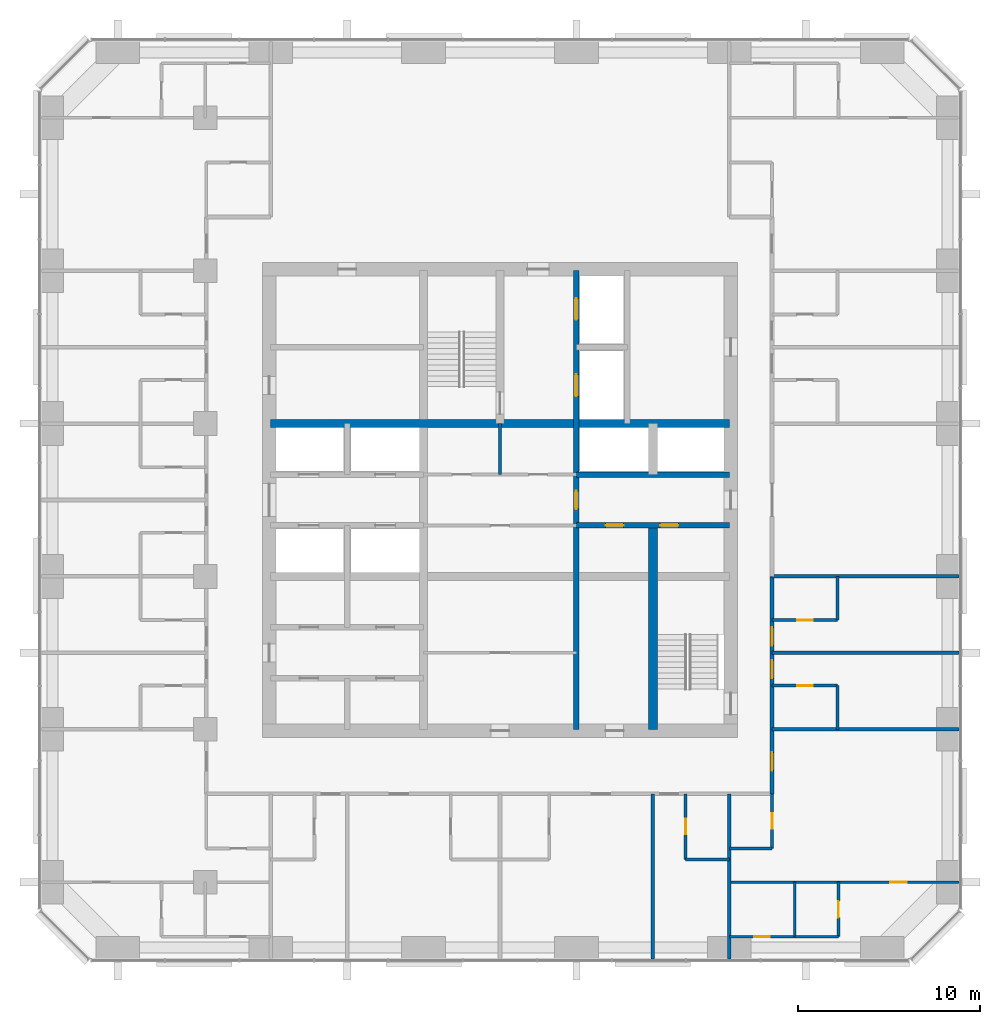
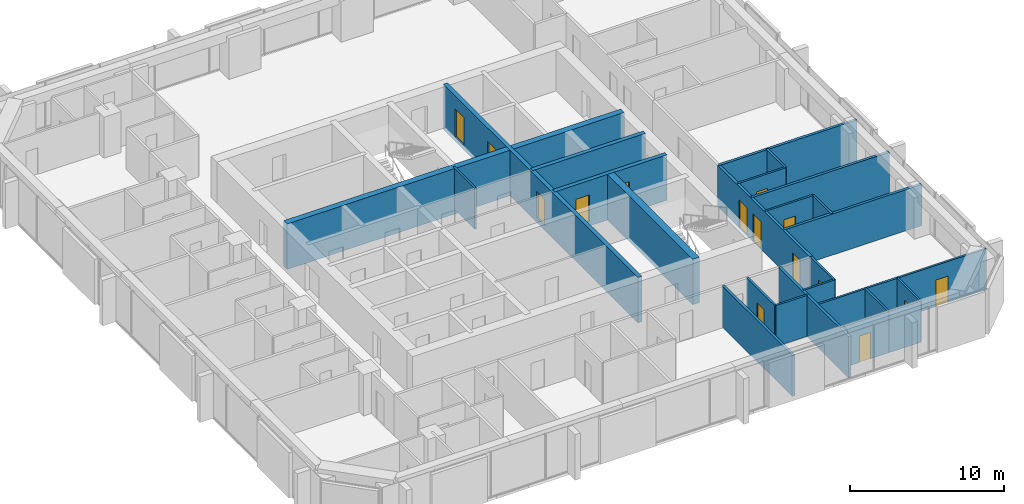
# One storey, part 10 of 13: 25 walls, 15 doors, 15 openings.
"""IFC4 building model written with IfcOpenShell, lengths in metres."""

from ifc_helpers import new_model, si_unit, direction, frame, frame_2d, origin, place, context, subcontext, project, spatial, rectangle, extrude, material, layer, layer_set, type_object, element, fill, save


model = new_model("IFC4")

# Units and contexts
model_context = context("Model", 3, precision=1e-05, world=origin(), true_north=direction((0.0, 1.0)))
body_context = subcontext(model_context, "Body", "Model", "MODEL_VIEW")
ifc_project = project(units=[si_unit("LENGTHUNIT", "METRE"), si_unit("AREAUNIT", "SQUARE_METRE"), si_unit("VOLUMEUNIT", "CUBIC_METRE"), si_unit("PLANEANGLEUNIT", "RADIAN"), si_unit("MASSUNIT", "GRAM", prefix="KILO")], contexts=[model_context])

# Site, building, storey
site_placement = place(None, origin())
site = spatial("IfcSite", under=ifc_project, at=site_placement, CompositionType="ELEMENT")
building_placement = place(site_placement, origin())
building = spatial("IfcBuilding", under=site, at=building_placement, Name="Dunama Terrace Hotel", CompositionType="ELEMENT")
storey_placement = place(building_placement, frame((0.0, 0.0, 166.199951171875)))
storey = spatial("IfcBuildingStorey", under=building, at=storey_placement, Name="L42", CompositionType="ELEMENT", Elevation=166.199951171875)

# Wall, opening, door
ifc_material_1 = material(Name="Gypsum board partition", Category="masonry")
ifc_layer_1 = layer(ifc_material_1, 0.14990234375)
ifc_layer_set_1 = layer_set([ifc_layer_1], Name="Bathroom partition 150")
wall_type_1 = type_object("IfcWallType", Name="Bathroom partition 150", PredefinedType="PARTITIONING", material=ifc_layer_set_1)
wall_1_placement = place(storey_placement, frame((39.60009765625, 9.64990234375, 0.0), z_axis=(0.0, 0.0, 1.0), x_axis=(0.0, 1.0, 0.0)))
wall_1 = element("IfcWall", 1, at=wall_1_placement, inside=storey, type_object=wall_type_1, Name="Bathroom partition 150 L42", PredefinedType="PARTITIONING", context=body_context, shape_type="SweptSolid", body=[
    extrude(rectangle(XDim=3.60009765625, YDim=0.14990234375, at=frame_2d((1.800048828125, 0.0))), origin(), (0.0, 0.0, 1.0), 3.25),
])
opening_1_placement = place(wall_1_placement, frame((1.375, 0.0, 0.0)))
opening_1 = element("IfcOpeningElement", 2, at=opening_1_placement, cuts=wall_1, Name="Opening L42-44-016", PredefinedType="OPENING", context=body_context, shape_type="SweptSolid", body=[
    extrude(rectangle(XDim=0.85009765625, YDim=2.10009765625, at=frame_2d((0.425048828125, 1.050048828125))), frame((0.0, 0.0849609375, 0.0), z_axis=(0.0, -1.0, 0.0), x_axis=(1.0, 0.0, 0.0)), (0.0, 0.0, 1.0), 0.169921875),
])
ifc_material_2 = material(Name="Timber door with steel frame", Category="steel")
door_type_1 = type_object("IfcDoorType", Name="Bathroom door 850", OperationType="SINGLE_SWING_LEFT", PredefinedType="DOOR", material=ifc_material_2)
door_1_placement = place(opening_1_placement, frame((0.85009765625, 0.0, 0.0), z_axis=(0.0, 0.0, 1.0), x_axis=(-1.0, 0.0, 0.0)))
door_1 = element("IfcDoor", 3, at=door_1_placement, inside=storey, type_object=door_type_1, Name="Door to en-suite bathroom L42-44-016, type D2", OperationType="SINGLE_SWING_LEFT", OverallHeight=2.10009765625, OverallWidth=0.85009765625, PredefinedType="DOOR", context=body_context, shape_type="SweptSolid", body=[
    extrude(rectangle(XDim=0.85009765625, YDim=2.10009765625, at=frame_2d((0.425048828125, 1.050048828125))), frame((0.0, 0.025146484375, 0.0), z_axis=(0.0, -1.0, 0.0), x_axis=(1.0, 0.0, 0.0)), (0.0, 0.0, 1.0), 0.050048828125),
])
fill(opening_1, door_1)

wall_2_placement = place(storey_placement, frame((44.35009765625, 10.25, 0.0), z_axis=(0.0, 0.0, 1.0), x_axis=(0.0, 1.0, 0.0)))
wall_2 = element("IfcWall", 4, at=wall_2_placement, inside=storey, type_object=wall_type_1, Name="Bathroom partition 150 L42", PredefinedType="PARTITIONING", context=body_context, shape_type="SweptSolid", body=[
    extrude(rectangle(XDim=3.0, YDim=0.14990234375, at=frame_2d((1.5, 0.0))), origin(), (0.0, 0.0, 1.0), 3.25),
])
opening_2_placement = place(wall_2_placement, frame((1.074951171875, 0.0, 0.0)))
opening_2 = element("IfcOpeningElement", 5, at=opening_2_placement, cuts=wall_2, Name="Opening L42-44-044", PredefinedType="OPENING", context=body_context, shape_type="SweptSolid", body=[
    extrude(rectangle(XDim=0.85009765625, YDim=2.10009765625, at=frame_2d((0.425048828125, 1.050048828125))), frame((0.0, 0.0849609375, 0.0), z_axis=(0.0, -1.0, 0.0), x_axis=(1.0, 0.0, 0.0)), (0.0, 0.0, 1.0), 0.169921875),
])
door_2_placement = place(opening_2_placement, origin())
door_2 = element("IfcDoor", 6, at=door_2_placement, inside=storey, type_object=door_type_1, Name="Door to powder room L42-44-044, type D2", OperationType="SINGLE_SWING_RIGHT", OverallHeight=2.10009765625, OverallWidth=0.85009765625, PredefinedType="DOOR", context=body_context, shape_type="SweptSolid", body=[
    extrude(rectangle(XDim=0.85009765625, YDim=2.10009765625, at=frame_2d((0.425048828125, 1.050048828125))), frame((0.0, 0.02490234375, 0.0), z_axis=(0.0, -1.0, 0.0), x_axis=(1.0, 0.0, 0.0)), (0.0, 0.0, 1.0), 0.050048828125),
])
fill(opening_2, door_2)

# Walls
for number, where, z_axis, x_axis, name in (
    (7, (47.949951171875, 16.800048828125, 0.0), (0.0, 0.0, 1.0), (0.0, 1.0, 0.0), "Bathroom partition 150 L42"),
    (8, (47.949951171875, 22.800048828125, 0.0), (0.0, 0.0, 1.0), (0.0, 1.0, 0.0), "Bathroom partition 150 L42"),
):
    element("IfcWall", number, at=place(storey_placement, frame(where, z_axis=z_axis, x_axis=x_axis)), inside=storey, type_object=wall_type_1, Name=name, PredefinedType="PARTITIONING", context=body_context, shape_type="SweptSolid", body=[
        extrude(rectangle(XDim=2.39990234375, YDim=0.14990234375, at=frame_2d((1.199951171875, 0.0))), origin(), (0.0, 0.0, 1.0), 3.25),
    ])

# Wall, opening, door
wall_3_placement = place(storey_placement, frame((42.0, 5.39990234375, 0.0), z_axis=(0.0, 0.0, 1.0), x_axis=(1.0, 0.0, 0.0)))
wall_3 = element("IfcWall", 9, at=wall_3_placement, inside=storey, type_object=wall_type_1, Name="Bathroom partition 150 L42", PredefinedType="PARTITIONING", context=body_context, shape_type="SweptSolid", body=[
    extrude(rectangle(XDim=3.60009765625, YDim=0.14990234375, at=frame_2d((1.800048828125, 0.0))), origin(), (0.0, 0.0, 1.0), 3.25),
])
opening_3_placement = place(wall_3_placement, frame((1.375, 0.0, 0.0)))
opening_3 = element("IfcOpeningElement", 10, at=opening_3_placement, cuts=wall_3, Name="Opening L42-44-046", PredefinedType="OPENING", context=body_context, shape_type="SweptSolid", body=[
    extrude(rectangle(XDim=0.85009765625, YDim=2.10009765625, at=frame_2d((0.425048828125, 1.050048828125))), frame((0.0, 0.0849609375, 0.0), z_axis=(0.0, -1.0, 0.0), x_axis=(1.0, 0.0, 0.0)), (0.0, 0.0, 1.0), 0.169921875),
])
door_3_placement = place(opening_3_placement, origin())
door_3 = element("IfcDoor", 11, at=door_3_placement, inside=storey, type_object=door_type_1, Name="Door to en-suite bathroom L42-44-046, type D2", OperationType="SINGLE_SWING_LEFT", OverallHeight=2.10009765625, OverallWidth=0.85009765625, PredefinedType="DOOR", context=body_context, shape_type="SweptSolid", body=[
    extrude(rectangle(XDim=0.85009765625, YDim=2.10009765625, at=frame_2d((0.425048828125, 1.050048828125))), frame((0.0, 0.02490234375, 0.0), z_axis=(0.0, -1.0, 0.0), x_axis=(1.0, 0.0, 0.0)), (0.0, 0.0, 1.0), 0.050048828125),
])
fill(opening_3, door_3)

# Walls
wall_4_placement = place(storey_placement, frame((39.60009765625, 9.64990234375, 0.0), z_axis=(0.0, 0.0, 1.0), x_axis=(1.0, 0.0, 0.0)))
element("IfcWall", 12, at=wall_4_placement, inside=storey, type_object=wall_type_1, Name="Bathroom partition 150 L42", PredefinedType="PARTITIONING", context=body_context, shape_type="SweptSolid", body=[
    extrude(rectangle(XDim=2.39990234375, YDim=0.14990234375, at=frame_2d((1.199951171875, 0.0))), origin(), (0.0, 0.0, 1.0), 3.25),
])
wall_5_placement = place(storey_placement, frame((42.0, 10.25, 0.0), z_axis=(0.0, 0.0, 1.0), x_axis=(1.0, 0.0, 0.0)))
element("IfcWall", 13, at=wall_5_placement, inside=storey, type_object=wall_type_1, Name="Bathroom partition 150 L42", PredefinedType="PARTITIONING", context=body_context, shape_type="SweptSolid", body=[
    extrude(rectangle(XDim=2.35009765625, YDim=0.14990234375, at=frame_2d((1.175048828125, 0.0))), origin(), (0.0, 0.0, 1.0), 3.25),
])

# Wall, opening, door
wall_6_placement = place(storey_placement, frame((44.35009765625, 19.199951171875, 0.0), z_axis=(0.0, 0.0, 1.0), x_axis=(1.0, 0.0, 0.0)))
wall_6 = element("IfcWall", 14, at=wall_6_placement, inside=storey, type_object=wall_type_1, Name="Bathroom partition 150 L42", PredefinedType="PARTITIONING", context=body_context, shape_type="SweptSolid", body=[
    extrude(rectangle(XDim=3.599853515625, YDim=0.14990234375, at=frame_2d((1.7998046875, 0.0))), origin(), (0.0, 0.0, 1.0), 3.25),
])
opening_4_placement = place(wall_6_placement, frame((1.375, 0.0, 0.0)))
opening_4 = element("IfcOpeningElement", 15, at=opening_4_placement, cuts=wall_6, Name="Opening L42-44-018", PredefinedType="OPENING", context=body_context, shape_type="SweptSolid", body=[
    extrude(rectangle(XDim=0.85009765625, YDim=2.10009765625, at=frame_2d((0.425048828125, 1.050048828125))), frame((0.0, 0.0849609375, 0.0), z_axis=(0.0, -1.0, 0.0), x_axis=(1.0, 0.0, 0.0)), (0.0, 0.0, 1.0), 0.169921875),
])
door_4_placement = place(opening_4_placement, frame((0.85009765625, 0.0, 0.0), z_axis=(0.0, 0.0, 1.0), x_axis=(-1.0, 0.0, 0.0)))
door_4 = element("IfcDoor", 16, at=door_4_placement, inside=storey, type_object=door_type_1, Name="Door to en-suite bathroom L42-44-018, type D2", OperationType="SINGLE_SWING_RIGHT", OverallHeight=2.10009765625, OverallWidth=0.85009765625, PredefinedType="DOOR", context=body_context, shape_type="SweptSolid", body=[
    extrude(rectangle(XDim=0.85009765625, YDim=2.10009765625, at=frame_2d((0.425048828125, 1.050048828125))), frame((0.0, 0.025146484375, 0.0), z_axis=(0.0, -1.0, 0.0), x_axis=(1.0, 0.0, 0.0)), (0.0, 0.0, 1.0), 0.050048828125),
])
fill(opening_4, door_4)

wall_7_placement = place(storey_placement, frame((44.35009765625, 22.800048828125, 0.0), z_axis=(0.0, 0.0, 1.0), x_axis=(1.0, 0.0, 0.0)))
wall_7 = element("IfcWall", 17, at=wall_7_placement, inside=storey, type_object=wall_type_1, Name="Bathroom partition 150 L42", PredefinedType="PARTITIONING", context=body_context, shape_type="SweptSolid", body=[
    extrude(rectangle(XDim=3.599853515625, YDim=0.14990234375, at=frame_2d((1.7998046875, 0.0))), origin(), (0.0, 0.0, 1.0), 3.25),
])
opening_5_placement = place(wall_7_placement, frame((1.375, 0.0, 0.0)))
opening_5 = element("IfcOpeningElement", 18, at=opening_5_placement, cuts=wall_7, Name="Opening L42-44-020", PredefinedType="OPENING", context=body_context, shape_type="SweptSolid", body=[
    extrude(rectangle(XDim=0.85009765625, YDim=2.10009765625, at=frame_2d((0.425048828125, 1.050048828125))), frame((0.0, 0.0849609375, 0.0), z_axis=(0.0, -1.0, 0.0), x_axis=(1.0, 0.0, 0.0)), (0.0, 0.0, 1.0), 0.169921875),
])
door_5_placement = place(opening_5_placement, origin())
door_5 = element("IfcDoor", 19, at=door_5_placement, inside=storey, type_object=door_type_1, Name="Door to en-suite bathroom L42-44-020, type D2", OperationType="SINGLE_SWING_LEFT", OverallHeight=2.10009765625, OverallWidth=0.85009765625, PredefinedType="DOOR", context=body_context, shape_type="SweptSolid", body=[
    extrude(rectangle(XDim=0.85009765625, YDim=2.10009765625, at=frame_2d((0.425048828125, 1.050048828125))), frame((0.0, 0.02490234375, 0.0), z_axis=(0.0, -1.0, 0.0), x_axis=(1.0, 0.0, 0.0)), (0.0, 0.0, 1.0), 0.050048828125),
])
fill(opening_5, door_5)

# Wall, openings, doors
ifc_material_3 = material(Name="Concrete C50/60", Category="concrete")
ifc_layer_2 = layer(ifc_material_3, 0.300048828125)
ifc_layer_set_2 = layer_set([ifc_layer_2], Name="Core inner wall 300")
wall_type_2 = type_object("IfcWallType", Name="Core inner wall 300", PredefinedType="SHEAR", material=ifc_layer_set_2)
wall_8_placement = place(storey_placement, frame((33.60009765625, 16.800048828125, -0.349853515625), z_axis=(0.0, 0.0, 1.0), x_axis=(0.0, 1.0, 0.0)))
wall_8 = element("IfcWall", 20, at=wall_8_placement, inside=storey, type_object=wall_type_2, Name="Core inner wall 300 L42", PredefinedType="SHEAR", context=body_context, shape_type="SweptSolid", body=[
    extrude(rectangle(XDim=25.199951171875, YDim=0.300048828125, at=frame_2d((12.60009765625, 0.0))), origin(), (0.0, 0.0, 1.0), 3.599853515625),
])
opening_6_placement = place(wall_8_placement, frame((22.5, 0.0, 0.35009765625)))
opening_6 = element("IfcOpeningElement", 21, at=opening_6_placement, cuts=wall_8, Name="Opening L42-44-007", PredefinedType="OPENING", context=body_context, shape_type="SweptSolid", body=[
    extrude(rectangle(XDim=1.199951171875, YDim=2.199951171875, at=frame_2d((0.60009765625, 1.10009765625))), frame((0.0, 0.159912109375, 0.0), z_axis=(0.0, -1.0, 0.0), x_axis=(1.0, 0.0, 0.0)), (0.0, 0.0, 1.0), 0.320068359375),
])
opening_7_placement = place(wall_8_placement, frame((18.300048828125, 0.0, 0.35009765625)))
opening_7 = element("IfcOpeningElement", 22, at=opening_7_placement, cuts=wall_8, Name="Opening L42-44-008", PredefinedType="OPENING", context=body_context, shape_type="SweptSolid", body=[
    extrude(rectangle(XDim=1.199951171875, YDim=2.199951171875, at=frame_2d((0.60009765625, 1.10009765625))), frame((0.0, 0.159912109375, 0.0), z_axis=(0.0, -1.0, 0.0), x_axis=(1.0, 0.0, 0.0)), (0.0, 0.0, 1.0), 0.320068359375),
])
opening_8_placement = place(wall_8_placement, frame((12.10009765625, 0.0, 0.35009765625)))
opening_8 = element("IfcOpeningElement", 23, at=opening_8_placement, cuts=wall_8, Name="Opening L42-44-066", PredefinedType="OPENING", context=body_context, shape_type="SweptSolid", body=[
    extrude(rectangle(XDim=1.0, YDim=2.10009765625, at=frame_2d((0.5, 1.050048828125))), frame((0.0, 0.159912109375, 0.0), z_axis=(0.0, -1.0, 0.0), x_axis=(1.0, 0.0, 0.0)), (0.0, 0.0, 1.0), 0.320068359375),
])
ifc_material_4 = material(Name="Stainless steel lift door", Category="steel")
door_type_2 = type_object("IfcDoorType", Name="Firefighting lift landing door 1200", OperationType="DOUBLE_DOOR_SLIDING", PredefinedType="DOOR", material=ifc_material_4)
door_6_placement = place(opening_6_placement, origin())
door_6 = element("IfcDoor", 24, at=door_6_placement, inside=storey, type_object=door_type_2, Name="Landing door FL1 L42-44-007, type LD2", OperationType="DOUBLE_DOOR_SLIDING", OverallHeight=2.199951171875, OverallWidth=1.199951171875, PredefinedType="DOOR", context=body_context, shape_type="SweptSolid", body=[
    extrude(rectangle(XDim=1.199951171875, YDim=2.199951171875, at=frame_2d((0.60009765625, 1.10009765625))), frame((0.0, 0.02490234375, 0.0), z_axis=(0.0, -1.0, 0.0), x_axis=(1.0, 0.0, 0.0)), (0.0, 0.0, 1.0), 0.050048828125),
])
fill(opening_6, door_6)
door_7_placement = place(opening_7_placement, origin())
door_7 = element("IfcDoor", 25, at=door_7_placement, inside=storey, type_object=door_type_2, Name="Landing door FL2 L42-44-008, type LD2", OperationType="DOUBLE_DOOR_SLIDING", OverallHeight=2.199951171875, OverallWidth=1.199951171875, PredefinedType="DOOR", context=body_context, shape_type="SweptSolid", body=[
    extrude(rectangle(XDim=1.199951171875, YDim=2.199951171875, at=frame_2d((0.60009765625, 1.10009765625))), frame((0.0, 0.02490234375, 0.0), z_axis=(0.0, -1.0, 0.0), x_axis=(1.0, 0.0, 0.0)), (0.0, 0.0, 1.0), 0.050048828125),
])
fill(opening_7, door_7)
ifc_material_5 = material(Name="Timber door with steel frame", Category="steel")
door_type_3 = type_object("IfcDoorType", Name="Service door 1000", OperationType="SINGLE_SWING_LEFT", PredefinedType="DOOR", material=ifc_material_5)
door_8_placement = place(opening_8_placement, origin())
door_8 = element("IfcDoor", 26, at=door_8_placement, inside=storey, type_object=door_type_3, Name="Door to staff passage L42-44-066, type D7", OperationType="SINGLE_SWING_LEFT", OverallHeight=2.10009765625, OverallWidth=1.0, PredefinedType="DOOR", context=body_context, shape_type="SweptSolid", body=[
    extrude(rectangle(XDim=1.0, YDim=2.10009765625, at=frame_2d((0.5, 1.050048828125))), frame((0.0, 0.02490234375, 0.0), z_axis=(0.0, -1.0, 0.0), x_axis=(1.0, 0.0, 0.0)), (0.0, 0.0, 1.0), 0.050048828125),
])
fill(opening_8, door_8)

wall_9_placement = place(storey_placement, frame((33.60009765625, 28.0, -0.349853515625), z_axis=(0.0, 0.0, 1.0), x_axis=(1.0, 0.0, 0.0)))
wall_9 = element("IfcWall", 27, at=wall_9_placement, inside=storey, type_object=wall_type_2, Name="Core inner wall 300 L42", PredefinedType="SHEAR", context=body_context, shape_type="SweptSolid", body=[
    extrude(rectangle(XDim=8.39990234375, YDim=0.300048828125, at=frame_2d((4.199951171875, 0.0))), origin(), (0.0, 0.0, 1.0), 3.599853515625),
])
opening_9_placement = place(wall_9_placement, frame((1.60009765625, 0.0, 0.35009765625)))
opening_9 = element("IfcOpeningElement", 28, at=opening_9_placement, cuts=wall_9, Name="Opening L42-44-070", PredefinedType="OPENING", context=body_context, shape_type="SweptSolid", body=[
    extrude(rectangle(XDim=1.0, YDim=2.10009765625, at=frame_2d((0.5, 1.050048828125))), frame((0.0, 0.159912109375, 0.0), z_axis=(0.0, -1.0, 0.0), x_axis=(1.0, 0.0, 0.0)), (0.0, 0.0, 1.0), 0.320068359375),
])
opening_10_placement = place(wall_9_placement, frame((4.60009765625, 0.0, 0.35009765625)))
opening_10 = element("IfcOpeningElement", 29, at=opening_10_placement, cuts=wall_9, Name="Opening L42-44-071", PredefinedType="OPENING", context=body_context, shape_type="SweptSolid", body=[
    extrude(rectangle(XDim=1.0, YDim=2.10009765625, at=frame_2d((0.5, 1.050048828125))), frame((0.0, 0.159912109375, 0.0), z_axis=(0.0, -1.0, 0.0), x_axis=(1.0, 0.0, 0.0)), (0.0, 0.0, 1.0), 0.320068359375),
])
door_9_placement = place(opening_9_placement, frame((1.0, 0.0, 0.0), z_axis=(0.0, 0.0, 1.0), x_axis=(-1.0, 0.0, 0.0)))
door_9 = element("IfcDoor", 30, at=door_9_placement, inside=storey, type_object=door_type_3, Name="Door to service riser L42-44-070, type D7", OperationType="SINGLE_SWING_LEFT", OverallHeight=2.10009765625, OverallWidth=1.0, PredefinedType="DOOR", context=body_context, shape_type="SweptSolid", body=[
    extrude(rectangle(XDim=1.0, YDim=2.10009765625, at=frame_2d((0.5, 1.050048828125))), frame((0.0, 0.025146484375, 0.0), z_axis=(0.0, -1.0, 0.0), x_axis=(1.0, 0.0, 0.0)), (0.0, 0.0, 1.0), 0.050048828125),
])
fill(opening_9, door_9)
door_10_placement = place(opening_10_placement, frame((1.0, 0.0, 0.0), z_axis=(0.0, 0.0, 1.0), x_axis=(-1.0, 0.0, 0.0)))
door_10 = element("IfcDoor", 31, at=door_10_placement, inside=storey, type_object=door_type_3, Name="Door to housekeeping store L42-44-071, type D7", OperationType="SINGLE_SWING_RIGHT", OverallHeight=2.10009765625, OverallWidth=1.0, PredefinedType="DOOR", context=body_context, shape_type="SweptSolid", body=[
    extrude(rectangle(XDim=1.0, YDim=2.10009765625, at=frame_2d((0.5, 1.050048828125))), frame((0.0, 0.025146484375, 0.0), z_axis=(0.0, -1.0, 0.0), x_axis=(1.0, 0.0, 0.0)), (0.0, 0.0, 1.0), 0.050048828125),
])
fill(opening_10, door_10)

# Walls
wall_10_placement = place(storey_placement, frame((33.60009765625, 30.800048828125, -0.349853515625), z_axis=(0.0, 0.0, 1.0), x_axis=(1.0, 0.0, 0.0)))
element("IfcWall", 32, at=wall_10_placement, inside=storey, type_object=wall_type_2, Name="Core inner wall 300 L42", PredefinedType="SHEAR", context=body_context, shape_type="SweptSolid", body=[
    extrude(rectangle(XDim=8.39990234375, YDim=0.300048828125, at=frame_2d((4.199951171875, 0.0))), origin(), (0.0, 0.0, 1.0), 3.599853515625),
])
ifc_material_6 = material(Name="Concrete C50/60", Category="concrete")
ifc_layer_3 = layer(ifc_material_6, 0.449951171875)
ifc_layer_set_3 = layer_set([ifc_layer_3], Name="Core inner wall 450")
wall_type_3 = type_object("IfcWallType", Name="Core inner wall 450", PredefinedType="SHEAR", material=ifc_layer_set_3)
wall_11_placement = place(storey_placement, frame((16.800048828125, 33.60009765625, -0.349853515625), z_axis=(0.0, 0.0, 1.0), x_axis=(1.0, 0.0, 0.0)))
element("IfcWall", 33, at=wall_11_placement, inside=storey, type_object=wall_type_3, Name="Core inner wall 450 L42", PredefinedType="SHEAR", context=body_context, shape_type="SweptSolid", body=[
    extrude(rectangle(XDim=25.199951171875, YDim=0.449951171875, at=frame_2d((12.60009765625, 0.0))), origin(), (0.0, 0.0, 1.0), 3.599853515625),
])
ifc_material_7 = material(Name="Concrete C50/60", Category="concrete")
ifc_layer_4 = layer(ifc_material_7, 0.5)
ifc_layer_set_4 = layer_set([ifc_layer_4], Name="Core inner wall 500")
wall_type_4 = type_object("IfcWallType", Name="Core inner wall 500", PredefinedType="SHEAR", material=ifc_layer_set_4)
wall_12_placement = place(storey_placement, frame((37.800048828125, 16.800048828125, -0.349853515625), z_axis=(0.0, 0.0, 1.0), x_axis=(0.0, 1.0, 0.0)))
element("IfcWall", 34, at=wall_12_placement, inside=storey, type_object=wall_type_4, Name="Core inner wall 500 L42", PredefinedType="SHEAR", context=body_context, shape_type="SweptSolid", body=[
    extrude(rectangle(XDim=11.199951171875, YDim=0.5, at=frame_2d((5.60009765625, 0.0))), origin(), (0.0, 0.0, 1.0), 3.599853515625),
])

# Wall, openings, doors
ifc_material_8 = material(Name="Concrete blockwork", Category="masonry")
ifc_layer_5 = layer(ifc_material_8, 0.199951171875)
ifc_layer_set_5 = layer_set([ifc_layer_5], Name="Corridor partition 200")
wall_type_5 = type_object("IfcWallType", Name="Corridor partition 200", PredefinedType="PARTITIONING", material=ifc_layer_set_5)
wall_13_placement = place(storey_placement, frame((44.35009765625, 25.199951171875, 0.0), z_axis=(0.0, 0.0, 1.0), x_axis=(0.0, -1.0, 0.0)))
wall_13 = element("IfcWall", 35, at=wall_13_placement, inside=storey, type_object=wall_type_5, Name="Corridor partition 200 L42", PredefinedType="PARTITIONING", context=body_context, shape_type="SweptSolid", body=[
    extrude(rectangle(XDim=11.949951171875, YDim=0.199951171875, at=frame_2d((5.97509765625, 0.0))), origin(), (0.0, 0.0, 1.0), 3.25),
])
opening_11_placement = place(wall_13_placement, frame((4.60009765625, 0.0, 0.0)))
opening_11 = element("IfcOpeningElement", 36, at=opening_11_placement, cuts=wall_13, Name="Opening L42-44-017", PredefinedType="OPENING", context=body_context, shape_type="SweptSolid", body=[
    extrude(rectangle(XDim=1.0, YDim=2.199951171875, at=frame_2d((0.5, 1.10009765625))), frame((0.0, 0.10986328125, 0.0), z_axis=(0.0, -1.0, 0.0), x_axis=(1.0, 0.0, 0.0)), (0.0, 0.0, 1.0), 0.219970703125),
])
opening_12_placement = place(wall_13_placement, frame((2.800048828125, 0.0, 0.0)))
opening_12 = element("IfcOpeningElement", 37, at=opening_12_placement, cuts=wall_13, Name="Opening L42-44-019", PredefinedType="OPENING", context=body_context, shape_type="SweptSolid", body=[
    extrude(rectangle(XDim=1.0, YDim=2.199951171875, at=frame_2d((0.5, 1.10009765625))), frame((0.0, 0.10986328125, 0.0), z_axis=(0.0, -1.0, 0.0), x_axis=(1.0, 0.0, 0.0)), (0.0, 0.0, 1.0), 0.219970703125),
])
opening_13_placement = place(wall_13_placement, frame((9.675048828125, 0.0, 0.0)))
opening_13 = element("IfcOpeningElement", 38, at=opening_13_placement, cuts=wall_13, Name="Opening L42-44-043", PredefinedType="OPENING", context=body_context, shape_type="SweptSolid", body=[
    extrude(rectangle(XDim=1.0, YDim=2.199951171875, at=frame_2d((0.5, 1.10009765625))), frame((0.0, 0.10986328125, 0.0), z_axis=(0.0, -1.0, 0.0), x_axis=(1.0, 0.0, 0.0)), (0.0, 0.0, 1.0), 0.219970703125),
])
ifc_material_9 = material(Name="Timber door with steel frame", Category="steel")
door_type_4 = type_object("IfcDoorType", Name="Guest room door 1000", OperationType="SINGLE_SWING_LEFT", PredefinedType="DOOR", material=ifc_material_9)
door_11_placement = place(opening_11_placement, origin())
door_11 = element("IfcDoor", 39, at=door_11_placement, inside=storey, type_object=door_type_4, Name="Door to club room L42-44-017, type D1", OperationType="SINGLE_SWING_LEFT", OverallHeight=2.199951171875, OverallWidth=1.0, PredefinedType="DOOR", context=body_context, shape_type="SweptSolid", body=[
    extrude(rectangle(XDim=1.0, YDim=2.199951171875, at=frame_2d((0.5, 1.10009765625))), frame((0.0, 0.02490234375, 0.0), z_axis=(0.0, -1.0, 0.0), x_axis=(1.0, 0.0, 0.0)), (0.0, 0.0, 1.0), 0.050048828125),
])
fill(opening_11, door_11)
door_12_placement = place(opening_12_placement, origin())
door_12 = element("IfcDoor", 40, at=door_12_placement, inside=storey, type_object=door_type_4, Name="Door to club room L42-44-019, type D1", OperationType="SINGLE_SWING_RIGHT", OverallHeight=2.199951171875, OverallWidth=1.0, PredefinedType="DOOR", context=body_context, shape_type="SweptSolid", body=[
    extrude(rectangle(XDim=1.0, YDim=2.199951171875, at=frame_2d((0.5, 1.10009765625))), frame((0.0, 0.02490234375, 0.0), z_axis=(0.0, -1.0, 0.0), x_axis=(1.0, 0.0, 0.0)), (0.0, 0.0, 1.0), 0.050048828125),
])
fill(opening_12, door_12)
door_13_placement = place(opening_13_placement, origin())
door_13 = element("IfcDoor", 41, at=door_13_placement, inside=storey, type_object=door_type_4, Name="Door to corner suite living room L42-44-043, type D1", OperationType="SINGLE_SWING_RIGHT", OverallHeight=2.199951171875, OverallWidth=1.0, PredefinedType="DOOR", context=body_context, shape_type="SweptSolid", body=[
    extrude(rectangle(XDim=1.0, YDim=2.199951171875, at=frame_2d((0.5, 1.10009765625))), frame((0.0, 0.02490234375, 0.0), z_axis=(0.0, -1.0, 0.0), x_axis=(1.0, 0.0, 0.0)), (0.0, 0.0, 1.0), 0.050048828125),
])
fill(opening_13, door_13)

# Walls
ifc_material_10 = material(Name="Concrete blockwork", Category="masonry")
ifc_layer_6 = layer(ifc_material_10, 0.199951171875)
ifc_layer_set_6 = layer_set([ifc_layer_6], Name="Party wall 200")
wall_type_6 = type_object("IfcWallType", Name="Party wall 200", PredefinedType="PARTITIONING", material=ifc_layer_set_6)
for number, where, z_axis, x_axis, name in (
    (42, (37.800048828125, 4.181884765625, 0.0), (0.0, 0.0, 1.0), (0.0, 1.0, 0.0), "Party wall 200 L42"),
    (43, (42.0, 4.181884765625, 0.0), (0.0, 0.0, 1.0), (0.0, 1.0, 0.0), "Party wall 200 L42"),
):
    element("IfcWall", number, at=place(storey_placement, frame(where, z_axis=z_axis, x_axis=x_axis)), inside=storey, type_object=wall_type_6, Name=name, PredefinedType="PARTITIONING", context=body_context, shape_type="SweptSolid", body=[
        extrude(rectangle(XDim=9.068115234375, YDim=0.199951171875, at=frame_2d((4.5341796875, 0.0))), origin(), (0.0, 0.0, 1.0), 3.25),
    ])
for number, where, z_axis, x_axis, name in (
    (44, (44.35009765625, 16.800048828125, 0.0), (0.0, 0.0, 1.0), (1.0, 0.0, 0.0), "Party wall 200 L42"),
    (45, (44.35009765625, 21.0, 0.0), (0.0, 0.0, 1.0), (1.0, 0.0, 0.0), "Party wall 200 L42"),
    (46, (44.35009765625, 25.199951171875, 0.0), (0.0, 0.0, 1.0), (1.0, 0.0, 0.0), "Party wall 200 L42"),
):
    element("IfcWall", number, at=place(storey_placement, frame(where, z_axis=z_axis, x_axis=x_axis)), inside=storey, type_object=wall_type_6, Name=name, PredefinedType="PARTITIONING", context=body_context, shape_type="SweptSolid", body=[
        extrude(rectangle(XDim=10.267822265625, YDim=0.199951171875, at=frame_2d((5.1337890625, 0.0))), origin(), (0.0, 0.0, 1.0), 3.25),
    ])
ifc_material_11 = material(Name="Gypsum board partition", Category="masonry")
ifc_layer_7 = layer(ifc_material_11, 0.14990234375)
ifc_layer_set_7 = layer_set([ifc_layer_7], Name="Room partition 150")
wall_type_7 = type_object("IfcWallType", Name="Room partition 150", PredefinedType="PARTITIONING", material=ifc_layer_set_7)
wall_14_placement = place(storey_placement, frame((29.39990234375, 30.800048828125, 0.0), z_axis=(0.0, 0.0, 1.0), x_axis=(0.0, 1.0, 0.0)))
element("IfcWall", 47, at=wall_14_placement, inside=storey, type_object=wall_type_7, Name="Room partition 150 L42", PredefinedType="PARTITIONING", context=body_context, shape_type="SweptSolid", body=[
    extrude(rectangle(XDim=2.800048828125, YDim=0.14990234375, at=frame_2d((1.39990234375, 0.0))), origin(), (0.0, 0.0, 1.0), 3.25),
])
wall_15_placement = place(storey_placement, frame((45.60009765625, 5.39990234375, 0.0), z_axis=(0.0, 0.0, 1.0), x_axis=(0.0, 1.0, 0.0)))
element("IfcWall", 48, at=wall_15_placement, inside=storey, type_object=wall_type_7, Name="Room partition 150 L42", PredefinedType="PARTITIONING", context=body_context, shape_type="SweptSolid", body=[
    extrude(rectangle(XDim=3.0, YDim=0.14990234375, at=frame_2d((1.5, 0.0))), origin(), (0.0, 0.0, 1.0), 3.25),
])

# Wall, opening, door
wall_16_placement = place(storey_placement, frame((48.0, 5.39990234375, 0.0), z_axis=(0.0, 0.0, 1.0), x_axis=(0.0, 1.0, 0.0)))
wall_16 = element("IfcWall", 49, at=wall_16_placement, inside=storey, type_object=wall_type_7, Name="Room partition 150 L42", PredefinedType="PARTITIONING", context=body_context, shape_type="SweptSolid", body=[
    extrude(rectangle(XDim=3.0, YDim=0.14990234375, at=frame_2d((1.5, 0.0))), origin(), (0.0, 0.0, 1.0), 3.25),
])
opening_14_placement = place(wall_16_placement, frame((1.050048828125, 0.0, 0.0)))
opening_14 = element("IfcOpeningElement", 50, at=opening_14_placement, cuts=wall_16, Name="Opening L42-44-047", PredefinedType="OPENING", context=body_context, shape_type="SweptSolid", body=[
    extrude(rectangle(XDim=0.89990234375, YDim=2.10009765625, at=frame_2d((0.449951171875, 1.050048828125))), frame((0.0, 0.0849609375, 0.0), z_axis=(0.0, -1.0, 0.0), x_axis=(1.0, 0.0, 0.0)), (0.0, 0.0, 1.0), 0.169921875),
])
ifc_material_12 = material(Name="Timber door with steel frame", Category="steel")
door_type_5 = type_object("IfcDoorType", Name="Suite internal door 900", OperationType="SINGLE_SWING_LEFT", PredefinedType="DOOR", material=ifc_material_12)
door_14_placement = place(opening_14_placement, origin())
door_14 = element("IfcDoor", 51, at=door_14_placement, inside=storey, type_object=door_type_5, Name="Door to dressing room L42-44-047, type D16", OperationType="SINGLE_SWING_LEFT", OverallHeight=2.10009765625, OverallWidth=0.89990234375, PredefinedType="DOOR", context=body_context, shape_type="SweptSolid", body=[
    extrude(rectangle(XDim=0.89990234375, YDim=2.10009765625, at=frame_2d((0.449951171875, 1.050048828125))), frame((0.0, 0.02490234375, 0.0), z_axis=(0.0, -1.0, 0.0), x_axis=(1.0, 0.0, 0.0)), (0.0, 0.0, 1.0), 0.050048828125),
])
fill(opening_14, door_14)

# Wall
wall_17_placement = place(storey_placement, frame((45.60009765625, 5.39990234375, 0.0), z_axis=(0.0, 0.0, 1.0), x_axis=(1.0, 0.0, 0.0)))
element("IfcWall", 52, at=wall_17_placement, inside=storey, type_object=wall_type_7, Name="Room partition 150 L42", PredefinedType="PARTITIONING", context=body_context, shape_type="SweptSolid", body=[
    extrude(rectangle(XDim=2.39990234375, YDim=0.14990234375, at=frame_2d((1.199951171875, 0.0))), origin(), (0.0, 0.0, 1.0), 3.25),
])

# Wall, opening, door
wall_18_placement = place(storey_placement, frame((42.0, 8.39990234375, 0.0), z_axis=(0.0, 0.0, 1.0), x_axis=(1.0, 0.0, 0.0)))
wall_18 = element("IfcWall", 53, at=wall_18_placement, inside=storey, type_object=wall_type_7, Name="Room partition 150 L42", PredefinedType="PARTITIONING", context=body_context, shape_type="SweptSolid", body=[
    extrude(rectangle(XDim=12.617919921875, YDim=0.14990234375, at=frame_2d((6.30908203125, 0.0))), origin(), (0.0, 0.0, 1.0), 3.25),
])
opening_15_placement = place(wall_18_placement, frame((8.85009765625, 0.0, 0.0)))
opening_15 = element("IfcOpeningElement", 54, at=opening_15_placement, cuts=wall_18, Name="Opening L42-44-045", PredefinedType="OPENING", context=body_context, shape_type="SweptSolid", body=[
    extrude(rectangle(XDim=0.89990234375, YDim=2.10009765625, at=frame_2d((0.449951171875, 1.050048828125))), frame((0.0, 0.0849609375, 0.0), z_axis=(0.0, -1.0, 0.0), x_axis=(1.0, 0.0, 0.0)), (0.0, 0.0, 1.0), 0.169921875),
])
door_15_placement = place(opening_15_placement, frame((0.89990234375, 0.0, 0.0), z_axis=(0.0, 0.0, 1.0), x_axis=(-1.0, 0.0, 0.0)))
door_15 = element("IfcDoor", 55, at=door_15_placement, inside=storey, type_object=door_type_5, Name="Door to corner suite bedroom L42-44-045, type D16", OperationType="SINGLE_SWING_LEFT", OverallHeight=2.10009765625, OverallWidth=0.89990234375, PredefinedType="DOOR", context=body_context, shape_type="SweptSolid", body=[
    extrude(rectangle(XDim=0.89990234375, YDim=2.10009765625, at=frame_2d((0.449951171875, 1.050048828125))), frame((0.0, 0.025146484375, 0.0), z_axis=(0.0, -1.0, 0.0), x_axis=(1.0, 0.0, 0.0)), (0.0, 0.0, 1.0), 0.050048828125),
])
fill(opening_15, door_15)

save(model, "model.ifc")
